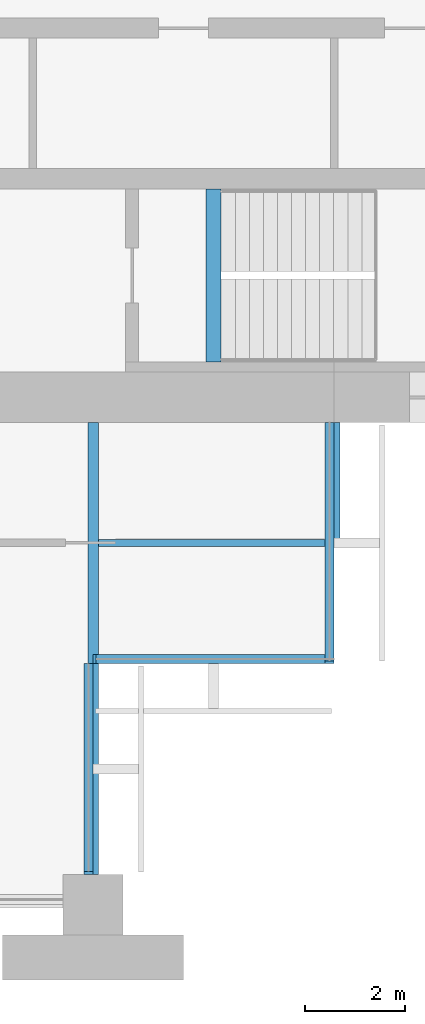
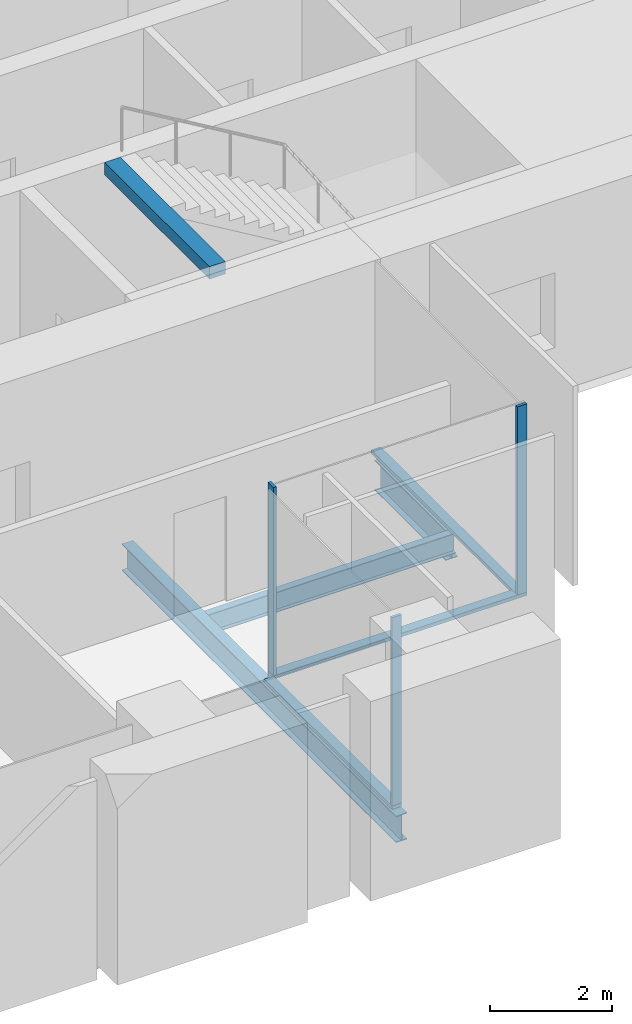
# One storey, part 4 of 14: 6 members, 4 beams, 3 elements without a shape of their own.
"""IFC4 building model written with IfcOpenShell, lengths in metres."""

from ifc_helpers import new_model, si_unit, direction, frame, origin, origin_2d, place, context, subcontext, project, spatial, rectangle, i_section, extrude, material, material_profile, profile_set, type_object, element, aggregate, save


model = new_model("IFC4")

# Units and contexts
model_context = context("Model", 3, precision=1e-05, world=origin(), true_north=direction((0.0, 1.0)))
body_context = subcontext(model_context, "Body", "Model", "MODEL_VIEW")
ifc_project = project(units=[si_unit("LENGTHUNIT", "METRE"), si_unit("AREAUNIT", "SQUARE_METRE"), si_unit("VOLUMEUNIT", "CUBIC_METRE"), si_unit("PLANEANGLEUNIT", "RADIAN"), si_unit("MASSUNIT", "GRAM", prefix="KILO")], contexts=[model_context])

# Site, building, storey
site_placement = place(None, origin())
site = spatial("IfcSite", under=ifc_project, at=site_placement, CompositionType="ELEMENT")
building_placement = place(site_placement, origin())
building = spatial("IfcBuilding", under=site, at=building_placement, Name="Baori Bourse Tower", CompositionType="ELEMENT")
storey_placement = place(building_placement, frame((0.0, 0.0, 160.10009765625)))
storey = spatial("IfcBuildingStorey", under=building, at=storey_placement, Name="L35", CompositionType="ELEMENT", Elevation=160.10009765625)

# Curtain wall, member
ifc_material_1 = material(Name="Pale anodised aluminium", Category="aluminium")
curtain_wall_type = type_object("IfcCurtainWallType", Name="CW2 Curtain wall", PredefinedType="NOTDEFINED", material=ifc_material_1)
curtain_wall_1_placement = place(storey_placement, origin())
curtain_wall_1 = element("IfcCurtainWall", 1, at=curtain_wall_1_placement, inside=storey, type_object=curtain_wall_type, Name="Curtain wall CW2 L35 12", PredefinedType="NOTDEFINED")
ifc_material_2 = material(Name="Pale anodised aluminium", Category="aluminium")
ifc_material_profile_1 = material_profile(ifc_material_2, rectangle(XDim=0.179931640625, YDim=0.054931640625, at=origin_2d()), Name="Mullion 55x180")
ifc_profile_set_1 = profile_set([ifc_material_profile_1], Name="Pale anodised aluminium")
member_type_1 = type_object("IfcMemberType", Name="CW2 Curtain wall mullion", PredefinedType="MULLION", material=ifc_profile_set_1)
member_1_placement = place(storey_placement, frame((43.110107421875, 0.62744140625, 0.06982421875), z_axis=(0.0, 0.0, 1.0), x_axis=(-1.0, 0.0, 0.0)))
member_1 = element("IfcMember", 2, at=member_1_placement, type_object=member_type_1, Name="Curtain wall CW2 mullion", PredefinedType="MULLION", context=body_context, shape_type="SweptSolid", body=[
    extrude(rectangle(XDim=0.179931640625, YDim=0.054931640625, at=origin_2d()), origin(), (0.0, 0.0, 1.0), 3.77001953125),
])

curtain_wall_2_placement = place(storey_placement, origin())
curtain_wall_2 = element("IfcCurtainWall", 3, at=curtain_wall_2_placement, inside=storey, type_object=curtain_wall_type, Name="Curtain wall CW2 L35 13", PredefinedType="NOTDEFINED")
member_2_placement = place(storey_placement, frame((43.2275390625, 4.889892578125, 0.06982421875), z_axis=(0.0, 0.0, 1.0), x_axis=(0.0, 1.0, 0.0)))
member_2 = element("IfcMember", 4, at=member_2_placement, type_object=member_type_1, Name="Curtain wall CW2 mullion", PredefinedType="MULLION", context=body_context, shape_type="SweptSolid", body=[
    extrude(rectangle(XDim=0.179931640625, YDim=0.054931640625, at=origin_2d()), origin(), (0.0, 0.0, 1.0), 3.77001953125),
])

curtain_wall_3_placement = place(storey_placement, origin())
curtain_wall_3 = element("IfcCurtainWall", 5, at=curtain_wall_3_placement, inside=storey, type_object=curtain_wall_type, Name="Curtain wall CW2 L35 14", PredefinedType="NOTDEFINED")
member_3_placement = place(storey_placement, frame((47.909912109375, 4.827392578125, 0.06982421875), z_axis=(0.0, 0.0, 1.0), x_axis=(-1.0, 0.0, 0.0)))
member_3 = element("IfcMember", 6, at=member_3_placement, type_object=member_type_1, Name="Curtain wall CW2 mullion", PredefinedType="MULLION", context=body_context, shape_type="SweptSolid", body=[
    extrude(rectangle(XDim=0.179931640625, YDim=0.054931640625, at=origin_2d()), origin(), (0.0, 0.0, 1.0), 3.77001953125),
])

# Member
ifc_material_3 = material(Name="Pale anodised aluminium", Category="aluminium")
ifc_material_profile_2 = material_profile(ifc_material_3, rectangle(XDim=0.179931640625, YDim=0.070068359375, at=origin_2d()), Name="Transom 70x180")
ifc_profile_set_2 = profile_set([ifc_material_profile_2], Name="Pale anodised aluminium")
member_type_2 = type_object("IfcMemberType", Name="CW2 Curtain wall transom", PredefinedType="USERDEFINED", material=ifc_profile_set_2)
member_4_placement = place(storey_placement, frame((43.110107421875, 0.60009765625, 0.034912109375), z_axis=(0.0, 1.0, 0.0), x_axis=(-1.0, 0.0, 0.0)))
member_4 = element("IfcMember", 7, at=member_4_placement, type_object=member_type_2, Name="Curtain wall CW2 sill rail", ObjectType="TRANSOM", PredefinedType="USERDEFINED", context=body_context, shape_type="SweptSolid", body=[
    extrude(rectangle(XDim=0.179931640625, YDim=0.070068359375, at=origin_2d()), origin(), (0.0, 0.0, 1.0), 4.199951171875),
])

aggregate(curtain_wall_1, [member_4, member_1])

member_5_placement = place(storey_placement, frame((43.199951171875, 4.889892578125, 0.034912109375), z_axis=(1.0, 0.0, 0.0), x_axis=(0.0, 1.0, 0.0)))
member_5 = element("IfcMember", 8, at=member_5_placement, type_object=member_type_2, Name="Curtain wall CW2 sill rail", ObjectType="TRANSOM", PredefinedType="USERDEFINED", context=body_context, shape_type="SweptSolid", body=[
    extrude(rectangle(XDim=0.179931640625, YDim=0.070068359375, at=origin_2d()), origin(), (0.0, 0.0, 1.0), 4.800048828125),
])

aggregate(curtain_wall_2, [member_5, member_2])

member_6_placement = place(storey_placement, frame((47.909912109375, 4.800048828125, 0.034912109375), z_axis=(0.0, 1.0, 0.0), x_axis=(-1.0, 0.0, 0.0)))
member_6 = element("IfcMember", 9, at=member_6_placement, type_object=member_type_2, Name="Curtain wall CW2 sill rail", ObjectType="TRANSOM", PredefinedType="USERDEFINED", context=body_context, shape_type="SweptSolid", body=[
    extrude(rectangle(XDim=0.179931640625, YDim=0.070068359375, at=origin_2d()), origin(), (0.0, 0.0, 1.0), 4.800048828125),
])

aggregate(curtain_wall_3, [member_6, member_3])

# Beams
ifc_material_4 = material(Name="Steel A992 Gr 50", Category="steel")
ifc_material_profile_3 = material_profile(ifc_material_4, i_section(OverallWidth=0.227783203125, OverallDepth=0.60205078125, WebThickness=0.010498046875, FlangeThickness=0.014892578125, at=origin_2d()), Name="W24x68")
ifc_profile_set_3 = profile_set([ifc_material_profile_3], Name="Steel A992 Gr 50")
beam_type_1 = type_object("IfcBeamType", Name="Core bracket W24x68", PredefinedType="BEAM", material=ifc_profile_set_3)
beam_1_placement = place(storey_placement, frame((48.0, 7.270263671875, -0.461181640625), z_axis=(0.0, 1.0, 0.0), x_axis=(-1.0, 0.0, 0.0)))
element("IfcBeam", 10, at=beam_1_placement, inside=storey, type_object=beam_type_1, Name="Core bracket L35", PredefinedType="BEAM", context=body_context, shape_type="SweptSolid", body=[
    extrude(i_section(OverallWidth=0.227783203125, OverallDepth=0.60205078125, WebThickness=0.010498046875, FlangeThickness=0.014892578125, at=origin_2d()), origin(), (0.0, 0.0, 1.0), 2.329833984375),
])
ifc_material_5 = material(Name="Steel A992 Gr 50", Category="steel")
ifc_material_profile_4 = material_profile(ifc_material_5, i_section(OverallWidth=0.209228515625, OverallDepth=0.533447265625, WebThickness=0.01025390625, FlangeThickness=0.015625, at=origin_2d()), Name="W21x62")
ifc_profile_set_4 = profile_set([ifc_material_profile_4], Name="Steel A992 Gr 50")
beam_type_2 = type_object("IfcBeamType", Name="Floor beam W21x62", PredefinedType="BEAM", material=ifc_profile_set_4)
beam_2_placement = place(storey_placement, frame((43.199951171875, 0.60009765625, -0.4267578125), z_axis=(0.0, 1.0, 0.0), x_axis=(-1.0, 0.0, 0.0)))
element("IfcBeam", 11, at=beam_2_placement, inside=storey, type_object=beam_type_2, Name="Floor beam L35", PredefinedType="BEAM", context=body_context, shape_type="SweptSolid", body=[
    extrude(i_section(OverallWidth=0.209228515625, OverallDepth=0.533447265625, WebThickness=0.01025390625, FlangeThickness=0.015625, at=origin_2d()), origin(), (0.0, 0.0, 1.0), 9.0),
])
ifc_material_6 = material(Name="Concrete f'c 50 MPa", Category="concrete")
ifc_material_profile_5 = material_profile(ifc_material_6, rectangle(XDim=0.300048828125, YDim=0.25, at=origin_2d()), Name="RC 300x250")
ifc_profile_set_5 = profile_set([ifc_material_profile_5], Name="Concrete f'c 50 MPa")
beam_type_3 = type_object("IfcBeamType", Name="Stair nib beam RC 300x250", PredefinedType="BEAM", material=ifc_profile_set_5)
beam_3_placement = place(storey_placement, frame((45.60009765625, 10.800048828125, 3.71484375), z_axis=(0.0, 1.0, 0.0), x_axis=(-1.0, 0.0, 0.0)))
element("IfcBeam", 12, at=beam_3_placement, inside=storey, type_object=beam_type_3, Name="Stair EA nib beam L36", PredefinedType="BEAM", context=body_context, shape_type="SweptSolid", body=[
    extrude(rectangle(XDim=0.300048828125, YDim=0.25, at=origin_2d()), origin(), (0.0, 0.0, 1.0), 3.449951171875),
])
ifc_material_7 = material(Name="Steel A992 Gr 50", Category="steel")
ifc_material_profile_6 = material_profile(ifc_material_7, i_section(OverallWidth=0.140380859375, OverallDepth=0.40380859375, WebThickness=0.007080078125, FlangeThickness=0.01123046875, at=origin_2d()), Name="W16x31")
ifc_profile_set_6 = profile_set([ifc_material_profile_6], Name="Steel A992 Gr 50")
beam_type_4 = type_object("IfcBeamType", Name="Trimmer beam W16x31", PredefinedType="BEAM", material=ifc_profile_set_6)
beam_4_placement = place(storey_placement, frame((43.3046875, 7.199951171875, -0.362060546875), z_axis=(1.0, 0.0, 0.0), x_axis=(0.0, 1.0, 0.0)))
element("IfcBeam", 13, at=beam_4_placement, inside=storey, type_object=beam_type_4, Name="Trimmer beam L35", PredefinedType="BEAM", context=body_context, shape_type="SweptSolid", body=[
    extrude(i_section(OverallWidth=0.140380859375, OverallDepth=0.40380859375, WebThickness=0.007080078125, FlangeThickness=0.01123046875, at=origin_2d()), origin(), (0.0, 0.0, 1.0), 4.6953125),
])

save(model, "model.ifc")
